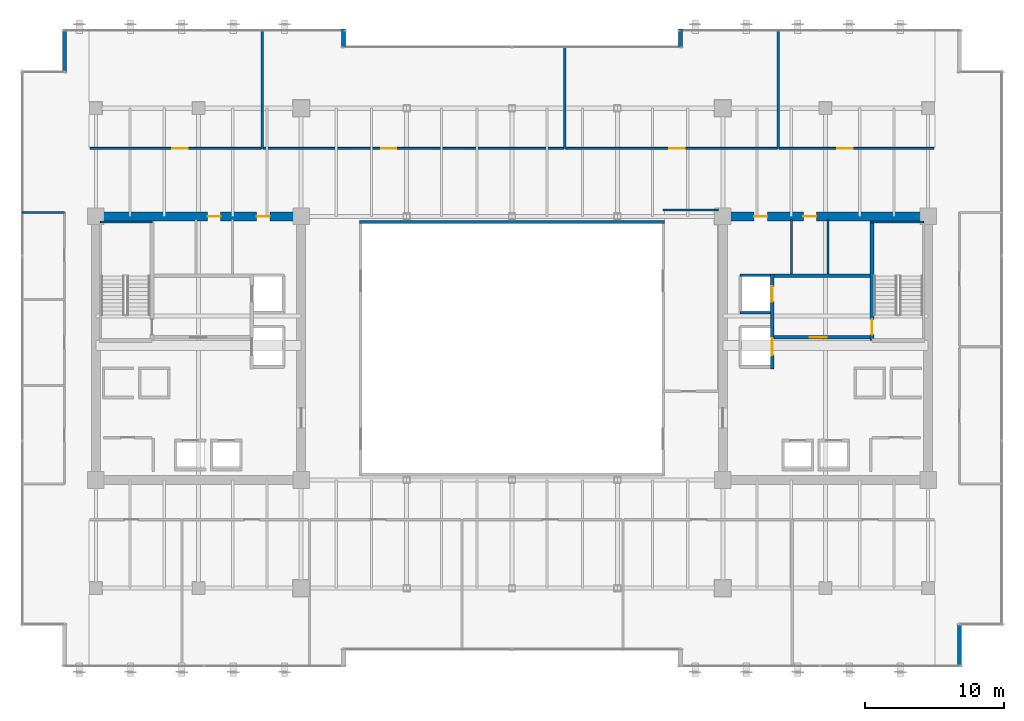
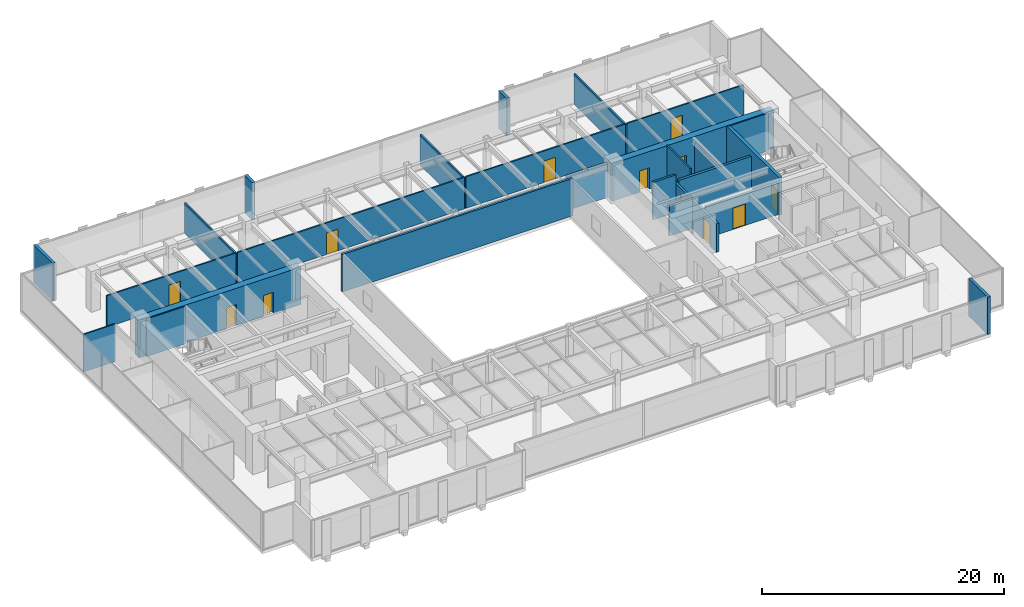
# One storey, part 27 of 34: 26 walls, 12 doors, 12 openings.
"""IFC4 building model written with IfcOpenShell, lengths in metres."""

from ifc_helpers import new_model, si_unit, direction, frame, frame_2d, origin, place, context, subcontext, project, spatial, rectangle, extrude, source, transform, mapped, material, layer, layer_set, type_object, type_shapes, element, fill, save


model = new_model("IFC4")

# Units and contexts
model_context = context("Model", 3, precision=1e-05, world=origin(), true_north=direction((0.0, 1.0)))
body_context = subcontext(model_context, "Body", "Model", "MODEL_VIEW")
ifc_project = project(units=[si_unit("LENGTHUNIT", "METRE"), si_unit("AREAUNIT", "SQUARE_METRE"), si_unit("VOLUMEUNIT", "CUBIC_METRE"), si_unit("PLANEANGLEUNIT", "RADIAN"), si_unit("MASSUNIT", "GRAM", prefix="KILO")], contexts=[model_context])

# Site, building, storey
site_placement = place(None, origin())
site = spatial("IfcSite", under=ifc_project, at=site_placement, CompositionType="ELEMENT")
building_placement = place(site_placement, origin())
building = spatial("IfcBuilding", under=site, at=building_placement, Name="Haelvirn Gate Laboratories", CompositionType="ELEMENT")
storey_placement = place(building_placement, frame((0.0, 0.0, 158.39990234375)))
storey = spatial("IfcBuildingStorey", under=building, at=storey_placement, Name="L38", CompositionType="ELEMENT", Elevation=158.39990234375)

# Walls
ifc_material_1 = material(Name="Thermally-broken bronze aluminium rainscreen & mineral wool", Category="aluminium")
ifc_layer_1 = layer(ifc_material_1, 0.280029296875, Name="EW-TERR-280")
ifc_layer_set_1 = layer_set([ifc_layer_1], Name="Thermally-broken bronze aluminium rainscreen & mineral wool")
wall_type_1 = type_object("IfcWallType", Name="EW-TERR-280", PredefinedType="STANDARD", material=ifc_layer_set_1)
wall_1_placement = place(storey_placement, frame((69.659912109375, 1.300048828125, 0.0), z_axis=(0.0, 0.0, 1.0), x_axis=(0.0, 1.0, 0.0)))
element("IfcWall", 1, at=wall_1_placement, inside=storey, type_object=wall_type_1, Name="L38 Atrium Recess Bronze Return Wall 05", PredefinedType="STANDARD", context=body_context, shape_type="SweptSolid", body=[
    extrude(rectangle(XDim=3.087890625, YDim=0.280029296875, at=frame_2d((1.5439453125, 0.0))), origin(), (0.0, 0.0, 1.0), 3.7900390625),
])
for number, where, z_axis, x_axis, name in (
    (2, (49.5400390625, 47.300048828125, 0.0), (0.0, 0.0, 1.0), (0.0, -1.0, 0.0), "L38 Atrium Recess Bronze Return Wall 11"),
    (3, (25.260009765625, 46.011962890625, 0.0), (0.0, 0.0, 1.0), (0.0, 1.0, 0.0), "L38 Atrium Recess Bronze Return Wall 13"),
):
    element("IfcWall", number, at=place(storey_placement, frame(where, z_axis=z_axis, x_axis=x_axis)), inside=storey, type_object=wall_type_1, Name=name, PredefinedType="STANDARD", context=body_context, shape_type="SweptSolid", body=[
        extrude(rectangle(XDim=1.2880859375, YDim=0.280029296875, at=frame_2d((0.64404296875, 0.0))), origin(), (0.0, 0.0, 1.0), 3.7900390625),
    ])
wall_2_placement = place(storey_placement, frame((5.139892578125, 47.300048828125, 0.0), z_axis=(0.0, 0.0, 1.0), x_axis=(0.0, -1.0, 0.0)))
element("IfcWall", 4, at=wall_2_placement, inside=storey, type_object=wall_type_1, Name="L38 Atrium Recess Bronze Return Wall 15", PredefinedType="STANDARD", context=body_context, shape_type="SweptSolid", body=[
    extrude(rectangle(XDim=3.088134765625, YDim=0.280029296875, at=frame_2d((1.5439453125, 0.0))), origin(), (0.0, 0.0, 1.0), 3.7900390625),
])
ifc_material_2 = material(Name="Double-layer acoustic gypsum laboratory partition", Category="gypsum")
ifc_layer_2 = layer(ifc_material_2, 0.159912109375, Name="IW-ACOUST-160")
ifc_layer_set_2 = layer_set([ifc_layer_2], Name="Double-layer acoustic gypsum laboratory partition")
wall_type_2 = type_object("IfcWallType", Name="IW-ACOUST-160", PredefinedType="PARTITIONING", material=ifc_layer_set_2)
wall_3_placement = place(storey_placement, frame((19.39990234375, 38.705078125, 0.0), z_axis=(0.0, 0.0, 1.0), x_axis=(0.0, 1.0, 0.0)))
element("IfcWall", 5, at=wall_3_placement, inside=storey, type_object=wall_type_2, Name="L38 Interior Wall IW-L38-NDIV-01", PredefinedType="PARTITIONING", context=body_context, shape_type="SweptSolid", body=[
    extrude(rectangle(XDim=8.48486328125, YDim=0.159912109375, at=frame_2d((4.242431640625, 0.0))), origin(), (0.0, 0.0, 1.0), 3.0751953125),
])
wall_4_placement = place(storey_placement, frame((41.199951171875, 38.705078125, 0.0), z_axis=(0.0, 0.0, 1.0), x_axis=(0.0, 1.0, 0.0)))
element("IfcWall", 6, at=wall_4_placement, inside=storey, type_object=wall_type_2, Name="L38 Interior Wall IW-L38-NDIV-02", PredefinedType="PARTITIONING", context=body_context, shape_type="SweptSolid", body=[
    extrude(rectangle(XDim=7.284912109375, YDim=0.159912109375, at=frame_2d((3.642578125, 0.0))), origin(), (0.0, 0.0, 1.0), 3.0751953125),
])
wall_5_placement = place(storey_placement, frame((56.60009765625, 38.705078125, 0.0), z_axis=(0.0, 0.0, 1.0), x_axis=(0.0, 1.0, 0.0)))
element("IfcWall", 7, at=wall_5_placement, inside=storey, type_object=wall_type_2, Name="L38 Interior Wall IW-L38-NDIV-03", PredefinedType="PARTITIONING", context=body_context, shape_type="SweptSolid", body=[
    extrude(rectangle(XDim=8.48486328125, YDim=0.159912109375, at=frame_2d((4.242431640625, 0.0))), origin(), (0.0, 0.0, 1.0), 3.0751953125),
])
ifc_material_3 = material(Name="Fire-rated acoustic gypsum board partition", Category="gypsum")
ifc_layer_3 = layer(ifc_material_3, 0.175048828125, Name="IW-ACOUST-180")
ifc_layer_set_3 = layer_set([ifc_layer_3], Name="Fire-rated acoustic gypsum board partition")
wall_type_3 = type_object("IfcWallType", Name="IW-ACOUST-180", PredefinedType="PARTITIONING", material=ifc_layer_set_3)
wall_6_placement = place(storey_placement, frame((48.300048828125, 34.260009765625, 0.0), z_axis=(0.0, 0.0, 1.0), x_axis=(1.0, 0.0, 0.0)))
element("IfcWall", 8, at=wall_6_placement, inside=storey, type_object=wall_type_3, Name="L38 Interior Wall IW-L38-ASEM-N", PredefinedType="PARTITIONING", context=body_context, shape_type="SweptSolid", body=[
    extrude(rectangle(XDim=3.974853515625, YDim=0.175048828125, at=frame_2d((1.9873046875, 0.0))), origin(), (0.0, 0.0, 1.0), 3.47509765625),
])
ifc_material_4 = material(Name="Tempered fire-rated borosilicate glass & anodised aluminium", Category="aluminium")
ifc_layer_4 = layer(ifc_material_4, 0.195068359375, Name="IW-GLAZ-200")
ifc_layer_set_4 = layer_set([ifc_layer_4], Name="Tempered fire-rated borosilicate glass & anodised aluminium")
wall_type_4 = type_object("IfcWallType", Name="IW-GLAZ-200", PredefinedType="SOLIDWALL", material=ifc_layer_set_4)
wall_7_placement = place(storey_placement, frame((26.39990234375, 33.39990234375, 0.0), z_axis=(0.0, 0.0, 1.0), x_axis=(1.0, 0.0, 0.0)))
element("IfcWall", 9, at=wall_7_placement, inside=storey, type_object=wall_type_4, Name="L38 Interior Wall IW-L38-ATRIUM-N", PredefinedType="SOLIDWALL", context=body_context, shape_type="SweptSolid", body=[
    extrude(rectangle(XDim=22.0, YDim=0.195068359375, at=frame_2d((11.0, 0.0))), origin(), (0.0, 0.0, 1.0), 3.7900390625),
])
ifc_material_5 = material(Name="Lightweight acoustic gypsum board partition", Category="gypsum")
ifc_layer_5 = layer(ifc_material_5, 0.1201171875, Name="IW-PART-120")
ifc_layer_set_5 = layer_set([ifc_layer_5], Name="Lightweight acoustic gypsum board partition")
wall_type_5 = type_object("IfcWallType", Name="IW-PART-120", PredefinedType="PARTITIONING", material=ifc_layer_set_5)
wall_8_placement = place(storey_placement, frame((2.110107421875, 34.0849609375, 0.0), z_axis=(0.0, 0.0, 1.0), x_axis=(1.0, 0.0, 0.0)))
element("IfcWall", 10, at=wall_8_placement, inside=storey, type_object=wall_type_5, Name="L38 Interior Wall IW-L38-WCAP-N", PredefinedType="PARTITIONING", context=body_context, shape_type="SweptSolid", body=[
    extrude(rectangle(XDim=3.019775390625, YDim=0.1201171875, at=frame_2d((1.509765625, 0.0))), origin(), (0.0, 0.0, 1.0), 3.7900390625),
])

# Wall, opening, door
ifc_material_6 = material(Name="Acoustic mineral-wool gypsum board partition", Category="gypsum")
ifc_layer_6 = layer(ifc_material_6, 0.139892578125, Name="IW-PART-140")
ifc_layer_set_6 = layer_set([ifc_layer_6], Name="Acoustic mineral-wool gypsum board partition")
wall_type_6 = type_object("IfcWallType", Name="IW-PART-140", PredefinedType="PARTITIONING", material=ifc_layer_set_6)
wall_9_placement = place(storey_placement, frame((6.97998046875, 38.705078125, 0.0), z_axis=(0.0, 0.0, 1.0), x_axis=(1.0, 0.0, 0.0)))
wall_9 = element("IfcWall", 11, at=wall_9_placement, inside=storey, type_object=wall_type_6, Name="L38 Interior Wall IW-L38-NCORR-01", PredefinedType="PARTITIONING", context=body_context, shape_type="SweptSolid", body=[
    extrude(rectangle(XDim=12.340087890625, YDim=0.139892578125, at=frame_2d((6.169921875, 0.0))), origin(), (0.0, 0.0, 1.0), 3.18701171875),
])
opening_1_placement = place(wall_9_placement, frame((5.936279296875, 0.0, 0.0)))
opening_1 = element("IfcOpeningElement", 12, at=opening_1_placement, cuts=wall_9, Name="Opening D1", PredefinedType="OPENING", context=body_context, shape_type="SweptSolid", body=[
    extrude(rectangle(XDim=1.10009765625, YDim=2.179931640625, at=frame_2d((0.550048828125, 1.08984375))), frame((0.0, 0.080078125, 0.0), z_axis=(0.0, -1.0, 0.0), x_axis=(1.0, 0.0, 0.0)), (0.0, 0.0, 1.0), 0.159912109375),
])
ifc_material_7 = material(Name="Vision-panel acoustic solid-core timber lab door", Category="wood")
door_type_1 = type_object("IfcDoorType", Name="DR-LAB-1100", OperationType="NOTDEFINED", PredefinedType="DOOR", material=ifc_material_7)
shared_shape_1 = source(origin(), body_context, "Body", "SweptSolid", [
    extrude(rectangle(XDim=1.10009765625, YDim=2.179931640625, at=frame_2d((0.550048828125, 1.08984375))), frame((0.0, 0.02490234375, 0.0), z_axis=(0.0, -1.0, 0.0), x_axis=(1.0, 0.0, 0.0)), (0.0, 0.0, 1.0), 0.050048828125),
])
type_shapes(door_type_1, [shared_shape_1])
door_1_placement = place(opening_1_placement, origin())
door_1 = element("IfcDoor", 13, at=door_1_placement, inside=storey, type_object=door_type_1, Name="L38 Analytical Instrument Suite Door N1", OperationType="SINGLE_SWING_RIGHT", OverallHeight=2.179931640625, OverallWidth=1.10009765625, PredefinedType="DOOR", context=body_context, shape_type="MappedRepresentation", body=[
    mapped(shared_shape_1, transform((0.0, 0.0, 0.0), scale=1.0)),
])
fill(opening_1, door_1)

wall_10_placement = place(storey_placement, frame((19.47998046875, 38.705078125, 0.0), z_axis=(0.0, 0.0, 1.0), x_axis=(1.0, 0.0, 0.0)))
wall_10 = element("IfcWall", 14, at=wall_10_placement, inside=storey, type_object=wall_type_6, Name="L38 Interior Wall IW-L38-NCORR-02", PredefinedType="PARTITIONING", context=body_context, shape_type="SweptSolid", body=[
    extrude(rectangle(XDim=21.64013671875, YDim=0.139892578125, at=frame_2d((10.820068359375, 0.0))), origin(), (0.0, 0.0, 1.0), 3.18701171875),
])
opening_2_placement = place(wall_10_placement, frame((8.484375, 0.0, 0.0)))
opening_2 = element("IfcOpeningElement", 15, at=opening_2_placement, cuts=wall_10, Name="Opening D1", PredefinedType="OPENING", context=body_context, shape_type="SweptSolid", body=[
    extrude(rectangle(XDim=1.10009765625, YDim=2.179931640625, at=frame_2d((0.550048828125, 1.08984375))), frame((0.0, 0.080078125, 0.0), z_axis=(0.0, -1.0, 0.0), x_axis=(1.0, 0.0, 0.0)), (0.0, 0.0, 1.0), 0.159912109375),
])
door_2_placement = place(opening_2_placement, origin())
door_2 = element("IfcDoor", 16, at=door_2_placement, inside=storey, type_object=door_type_1, Name="L38 Cleanroom Metrology Suite Door N2", OperationType="SINGLE_SWING_LEFT", OverallHeight=2.179931640625, OverallWidth=1.10009765625, PredefinedType="DOOR", context=body_context, shape_type="MappedRepresentation", body=[
    mapped(shared_shape_1, transform((0.0, 0.0, 0.0), scale=1.0)),
])
fill(opening_2, door_2)

wall_11_placement = place(storey_placement, frame((41.280029296875, 38.705078125, 0.0), z_axis=(0.0, 0.0, 1.0), x_axis=(1.0, 0.0, 0.0)))
wall_11 = element("IfcWall", 17, at=wall_11_placement, inside=storey, type_object=wall_type_6, Name="L38 Interior Wall IW-L38-NCORR-03", PredefinedType="PARTITIONING", context=body_context, shape_type="SweptSolid", body=[
    extrude(rectangle(XDim=15.239990234375, YDim=0.139892578125, at=frame_2d((7.6201171875, 0.0))), origin(), (0.0, 0.0, 1.0), 3.18701171875),
])
opening_3_placement = place(wall_11_placement, frame((7.47314453125, 0.0, 0.0)))
opening_3 = element("IfcOpeningElement", 18, at=opening_3_placement, cuts=wall_11, Name="Opening D1", PredefinedType="OPENING", context=body_context, shape_type="SweptSolid", body=[
    extrude(rectangle(XDim=1.10009765625, YDim=2.179931640625, at=frame_2d((0.550048828125, 1.08984375))), frame((0.0, 0.080078125, 0.0), z_axis=(0.0, -1.0, 0.0), x_axis=(1.0, 0.0, 0.0)), (0.0, 0.0, 1.0), 0.159912109375),
])
door_3_placement = place(opening_3_placement, origin())
door_3 = element("IfcDoor", 19, at=door_3_placement, inside=storey, type_object=door_type_1, Name="L38 Researcher Break Pantry Door N3", OperationType="SINGLE_SWING_RIGHT", OverallHeight=2.179931640625, OverallWidth=1.10009765625, PredefinedType="DOOR", context=body_context, shape_type="MappedRepresentation", body=[
    mapped(shared_shape_1, transform((0.0, 0.0, 0.0), scale=1.0)),
])
fill(opening_3, door_3)

wall_12_placement = place(storey_placement, frame((56.679931640625, 38.705078125, 0.0), z_axis=(0.0, 0.0, 1.0), x_axis=(1.0, 0.0, 0.0)))
wall_12 = element("IfcWall", 20, at=wall_12_placement, inside=storey, type_object=wall_type_6, Name="L38 Interior Wall IW-L38-NCORR-04", PredefinedType="PARTITIONING", context=body_context, shape_type="SweptSolid", body=[
    extrude(rectangle(XDim=11.14013671875, YDim=0.139892578125, at=frame_2d((5.570068359375, 0.0))), origin(), (0.0, 0.0, 1.0), 3.18701171875),
])
opening_4_placement = place(wall_12_placement, frame((4.179443359375, 0.0, 0.0)))
opening_4 = element("IfcOpeningElement", 21, at=opening_4_placement, cuts=wall_12, Name="Opening D1", PredefinedType="OPENING", context=body_context, shape_type="SweptSolid", body=[
    extrude(rectangle(XDim=1.10009765625, YDim=2.179931640625, at=frame_2d((0.550048828125, 1.08984375))), frame((0.0, 0.080078125, 0.0), z_axis=(0.0, -1.0, 0.0), x_axis=(1.0, 0.0, 0.0)), (0.0, 0.0, 1.0), 0.159912109375),
])
door_4_placement = place(opening_4_placement, origin())
door_4 = element("IfcDoor", 22, at=door_4_placement, inside=storey, type_object=door_type_1, Name="L38 Floor Hydration & Tea Servery Door N4", OperationType="SINGLE_SWING_LEFT", OverallHeight=2.179931640625, OverallWidth=1.10009765625, PredefinedType="DOOR", context=body_context, shape_type="MappedRepresentation", body=[
    mapped(shared_shape_1, transform((0.0, 0.0, 0.0), scale=1.0)),
])
fill(opening_4, door_4)

# Walls
ifc_material_8 = material(Name="Cement-board restroom plumbing chase wall", Category="gypsum")
ifc_layer_7 = layer(ifc_material_8, 0.155029296875, Name="IW-PLUMB-160")
ifc_layer_set_7 = layer_set([ifc_layer_7], Name="Cement-board restroom plumbing chase wall")
wall_type_7 = type_object("IfcWallType", Name="IW-PLUMB-160", PredefinedType="PLUMBINGWALL", material=ifc_layer_set_7)
wall_13_placement = place(storey_placement, frame((60.18994140625, 29.64990234375, 0.0), z_axis=(0.0, 0.0, 1.0), x_axis=(0.0, 1.0, 0.0)))
element("IfcWall", 23, at=wall_13_placement, inside=storey, type_object=wall_type_7, Name="L38 Interior Wall IW-L38-E-CDIV-0", PredefinedType="PLUMBINGWALL", context=body_context, shape_type="SweptSolid", body=[
    extrude(rectangle(XDim=3.93017578125, YDim=0.155029296875, at=frame_2d((1.965087890625, 0.0))), origin(), (0.0, 0.0, 1.0), 3.18701171875),
])
wall_14_placement = place(storey_placement, frame((57.56005859375, 29.64990234375, 0.0), z_axis=(0.0, 0.0, 1.0), x_axis=(0.0, 1.0, 0.0)))
element("IfcWall", 24, at=wall_14_placement, inside=storey, type_object=wall_type_7, Name="L38 Interior Wall IW-L38-E-CDIV-1", PredefinedType="PLUMBINGWALL", context=body_context, shape_type="SweptSolid", body=[
    extrude(rectangle(XDim=3.93017578125, YDim=0.155029296875, at=frame_2d((1.965087890625, 0.0))), origin(), (0.0, 0.0, 1.0), 3.7900390625),
])
ifc_material_9 = material(Name="Concrete C40/50", Category="concrete")
ifc_layer_8 = layer(ifc_material_9, 0.199951171875, Name="IW-SHAFT-200")
ifc_layer_set_8 = layer_set([ifc_layer_8], Name="Concrete C40/50")
wall_type_8 = type_object("IfcWallType", Name="IW-SHAFT-200", PredefinedType="SOLIDWALL", material=ifc_layer_set_8)
wall_15_placement = place(storey_placement, frame((53.85009765625, 29.550048828125, 0.0), z_axis=(0.0, 0.0, 1.0), x_axis=(1.0, 0.0, 0.0)))
element("IfcWall", 25, at=wall_15_placement, inside=storey, type_object=wall_type_8, Name="L38 Interior Wall IW-L38-FL2-N", PredefinedType="SOLIDWALL", context=body_context, shape_type="SweptSolid", body=[
    extrude(rectangle(XDim=2.18994140625, YDim=0.199951171875, at=frame_2d((1.094970703125, 0.0))), origin(), (0.0, 0.0, 1.0), 3.7900390625),
])
wall_16_placement = place(storey_placement, frame((53.85009765625, 26.85009765625, 0.0), z_axis=(0.0, 0.0, 1.0), x_axis=(1.0, 0.0, 0.0)))
element("IfcWall", 26, at=wall_16_placement, inside=storey, type_object=wall_type_8, Name="L38 Interior Wall IW-L38-FL2-S", PredefinedType="SOLIDWALL", context=body_context, shape_type="SweptSolid", body=[
    extrude(rectangle(XDim=2.18994140625, YDim=0.199951171875, at=frame_2d((1.094970703125, 0.0))), origin(), (0.0, 0.0, 1.0), 3.18701171875),
])

# Wall, opening, door
ifc_layer_9 = layer(ifc_material_9, 0.239990234375, Name="IW-SHAFT-240")
ifc_layer_set_9 = layer_set([ifc_layer_9], Name="Concrete C40/50")
wall_type_9 = type_object("IfcWallType", Name="IW-SHAFT-240", PredefinedType="SOLIDWALL", material=ifc_layer_set_9)
wall_17_placement = place(storey_placement, frame((56.280029296875, 25.080078125, 0.0), z_axis=(0.0, 0.0, 1.0), x_axis=(1.0, 0.0, 0.0)))
wall_17 = element("IfcWall", 27, at=wall_17_placement, inside=storey, type_object=wall_type_9, Name="L38 Interior Wall IW-L38-E-FF-S", PredefinedType="SOLIDWALL", context=body_context, shape_type="SweptSolid", body=[
    extrude(rectangle(XDim=6.919921875, YDim=0.239990234375, at=frame_2d((3.4599609375, 0.0))), origin(), (0.0, 0.0, 1.0), 3.18701171875),
])
opening_5_placement = place(wall_17_placement, frame((2.60009765625, 0.0, 0.0)))
opening_5 = element("IfcOpeningElement", 28, at=opening_5_placement, cuts=wall_17, Name="Opening FD2", PredefinedType="OPENING", context=body_context, shape_type="SweptSolid", body=[
    extrude(rectangle(XDim=1.199951171875, YDim=2.159912109375, at=frame_2d((0.60009765625, 1.080078125))), frame((0.0, 0.1298828125, 0.0), z_axis=(0.0, -1.0, 0.0), x_axis=(1.0, 0.0, 0.0)), (0.0, 0.0, 1.0), 0.260009765625),
])
ifc_material_10 = material(Name="Fire-rated steel SM355 compartment door", Category="steel")
door_type_2 = type_object("IfcDoorType", Name="DR-FD-1200", OperationType="NOTDEFINED", PredefinedType="DOOR", material=ifc_material_10)
shared_shape_2 = source(origin(), body_context, "Body", "SweptSolid", [
    extrude(rectangle(XDim=1.199951171875, YDim=2.159912109375, at=frame_2d((0.60009765625, 1.080078125))), frame((0.0, 0.02490234375, 0.0), z_axis=(0.0, -1.0, 0.0), x_axis=(1.0, 0.0, 0.0)), (0.0, 0.0, 1.0), 0.050048828125),
])
type_shapes(door_type_2, [shared_shape_2])
door_5_placement = place(opening_5_placement, origin())
door_5 = element("IfcDoor", 29, at=door_5_placement, inside=storey, type_object=door_type_2, Name="L38 East Firefighting Lobby Door", OperationType="SINGLE_SWING_LEFT", OverallHeight=2.159912109375, OverallWidth=1.199951171875, PredefinedType="DOOR", context=body_context, shape_type="MappedRepresentation", body=[
    mapped(shared_shape_2, transform((0.0, 0.0, 0.0), scale=1.0)),
])
fill(opening_5, door_5)

# Wall
wall_18_placement = place(storey_placement, frame((56.280029296875, 29.52001953125, 0.0), z_axis=(0.0, 0.0, 1.0), x_axis=(1.0, 0.0, 0.0)))
element("IfcWall", 30, at=wall_18_placement, inside=storey, type_object=wall_type_9, Name="L38 Interior Wall IW-L38-E-FF-N", PredefinedType="SOLIDWALL", context=body_context, shape_type="SweptSolid", body=[
    extrude(rectangle(XDim=6.919921875, YDim=0.239990234375, at=frame_2d((3.4599609375, 0.0))), origin(), (0.0, 0.0, 1.0), 3.18701171875),
])

# Wall, openings, doors
wall_19_placement = place(storey_placement, frame((56.159912109375, 22.800048828125, 0.0), z_axis=(0.0, 0.0, 1.0), x_axis=(0.0, 1.0, 0.0)))
wall_19 = element("IfcWall", 31, at=wall_19_placement, inside=storey, type_object=wall_type_9, Name="L38 Interior Wall IW-L38-E-FF-E", PredefinedType="SOLIDWALL", context=body_context, shape_type="SweptSolid", body=[
    extrude(rectangle(XDim=6.849853515625, YDim=0.239990234375, at=frame_2d((3.4248046875, 0.0))), origin(), (0.0, 0.0, 1.0), 2.875),
])
opening_6_placement = place(wall_19_placement, frame((4.85009765625, 0.0, 0.0)))
opening_6 = element("IfcOpeningElement", 32, at=opening_6_placement, cuts=wall_19, Name="Opening LD2", PredefinedType="OPENING", context=body_context, shape_type="SweptSolid", body=[
    extrude(rectangle(XDim=1.10009765625, YDim=2.219970703125, at=frame_2d((0.550048828125, 1.10986328125))), frame((0.0, 0.1298828125, 0.0), z_axis=(0.0, -1.0, 0.0), x_axis=(1.0, 0.0, 0.0)), (0.0, 0.0, 1.0), 0.260009765625),
])
opening_7_placement = place(wall_19_placement, frame((1.0, 0.0, 0.0)))
opening_7 = element("IfcOpeningElement", 33, at=opening_7_placement, cuts=wall_19, Name="Opening LD1", PredefinedType="OPENING", context=body_context, shape_type="SweptSolid", body=[
    extrude(rectangle(XDim=1.199951171875, YDim=2.219970703125, at=frame_2d((0.60009765625, 1.10986328125))), frame((0.0, 0.1298828125, 0.0), z_axis=(0.0, -1.0, 0.0), x_axis=(1.0, 0.0, 0.0)), (0.0, 0.0, 1.0), 0.260009765625),
])
ifc_material_11 = material(Name="Bronze stainless 316L sliding lift landing door")
door_type_3 = type_object("IfcDoorType", Name="DR-LD-1100", OperationType="NOTDEFINED", PredefinedType="USERDEFINED", material=ifc_material_11)
shared_shape_3 = source(origin(), body_context, "Body", "SweptSolid", [
    extrude(rectangle(XDim=1.10009765625, YDim=2.219970703125, at=frame_2d((0.550048828125, 1.10986328125))), frame((0.0, 0.02490234375, 0.0), z_axis=(0.0, -1.0, 0.0), x_axis=(1.0, 0.0, 0.0)), (0.0, 0.0, 1.0), 0.050048828125),
])
type_shapes(door_type_3, [shared_shape_3])
door_6_placement = place(opening_6_placement, origin())
door_6 = element("IfcDoor", 34, at=door_6_placement, inside=storey, type_object=door_type_3, Name="L38 Firefighting Lift FL2 Landing Door", ObjectType="LANDING_DOOR", OperationType="SLIDING_TO_RIGHT", OverallHeight=2.219970703125, OverallWidth=1.10009765625, PredefinedType="USERDEFINED", context=body_context, shape_type="MappedRepresentation", body=[
    mapped(shared_shape_3, transform((0.0, 0.0, 0.0), scale=1.0)),
])
fill(opening_6, door_6)
ifc_material_12 = material(Name="Stainless steel 316L sliding goods landing door", Category="steel")
door_type_4 = type_object("IfcDoorType", Name="DR-LD-1200", OperationType="NOTDEFINED", PredefinedType="USERDEFINED", material=ifc_material_12)
shared_shape_4 = source(origin(), body_context, "Body", "SweptSolid", [
    extrude(rectangle(XDim=1.199951171875, YDim=2.219970703125, at=frame_2d((0.60009765625, 1.10986328125))), frame((0.0, 0.02490234375, 0.0), z_axis=(0.0, -1.0, 0.0), x_axis=(1.0, 0.0, 0.0)), (0.0, 0.0, 1.0), 0.050048828125),
])
type_shapes(door_type_4, [shared_shape_4])
door_7_placement = place(opening_7_placement, origin())
door_7 = element("IfcDoor", 35, at=door_7_placement, inside=storey, type_object=door_type_4, Name="L38 Service Lift SL2 Landing Door", ObjectType="LANDING_DOOR", OperationType="SLIDING_TO_LEFT", OverallHeight=2.219970703125, OverallWidth=1.199951171875, PredefinedType="USERDEFINED", context=body_context, shape_type="MappedRepresentation", body=[
    mapped(shared_shape_4, transform((0.0, 0.0, 0.0), scale=1.0)),
])
fill(opening_7, door_7)

ifc_material_13 = material(Name="Concrete C60/75", Category="concrete")
ifc_layer_10 = layer(ifc_material_13, 0.64990234375, Name="SW-CORE-650")
ifc_layer_set_10 = layer_set([ifc_layer_10], Name="Concrete C60/75")
wall_type_10 = type_object("IfcWallType", Name="SW-CORE-650", PredefinedType="SHEAR", material=ifc_layer_set_10)
wall_20_placement = place(storey_placement, frame((7.074951171875, 33.800048828125, 0.0), z_axis=(0.0, 0.0, 1.0), x_axis=(1.0, 0.0, 0.0)))
wall_20 = element("IfcWall", 36, at=wall_20_placement, inside=storey, type_object=wall_type_10, Name="L38 W Core Shear Wall N", PredefinedType="SHEAR", context=body_context, shape_type="SweptSolid", body=[
    extrude(rectangle(XDim=15.449951171875, YDim=0.64990234375, at=frame_2d((7.72509765625, 0.0))), origin(), (0.0, 0.0, 1.0), 3.7900390625),
])
opening_8_placement = place(wall_20_placement, frame((8.375, 0.0, 0.0)))
opening_8 = element("IfcOpeningElement", 37, at=opening_8_placement, cuts=wall_20, Name="Opening FD4", PredefinedType="OPENING", context=body_context, shape_type="SweptSolid", body=[
    extrude(rectangle(XDim=0.949951171875, YDim=2.14990234375, at=frame_2d((0.47509765625, 1.074951171875))), frame((0.0, 0.3349609375, 0.0), z_axis=(0.0, -1.0, 0.0), x_axis=(1.0, 0.0, 0.0)), (0.0, 0.0, 1.0), 0.669921875),
])
opening_9_placement = place(wall_20_placement, frame((11.9150390625, 0.0, 0.0)))
opening_9 = element("IfcOpeningElement", 38, at=opening_9_placement, cuts=wall_20, Name="Opening FD4", PredefinedType="OPENING", context=body_context, shape_type="SweptSolid", body=[
    extrude(rectangle(XDim=0.949951171875, YDim=2.14990234375, at=frame_2d((0.47509765625, 1.074951171875))), frame((0.0, 0.3349609375, 0.0), z_axis=(0.0, -1.0, 0.0), x_axis=(1.0, 0.0, 0.0)), (0.0, 0.0, 1.0), 0.669921875),
])
ifc_material_14 = material(Name="Fire-rated steel SM355 core service door", Category="steel")
door_type_5 = type_object("IfcDoorType", Name="DR-FD-950", OperationType="NOTDEFINED", PredefinedType="DOOR", material=ifc_material_14)
shared_shape_5 = source(origin(), body_context, "Body", "SweptSolid", [
    extrude(rectangle(XDim=0.949951171875, YDim=2.14990234375, at=frame_2d((0.47509765625, 1.074951171875))), frame((0.0, 0.02490234375, 0.0), z_axis=(0.0, -1.0, 0.0), x_axis=(1.0, 0.0, 0.0)), (0.0, 0.0, 1.0), 0.050048828125),
])
type_shapes(door_type_5, [shared_shape_5])
door_8_placement = place(opening_8_placement, origin())
door_8 = element("IfcDoor", 39, at=door_8_placement, inside=storey, type_object=door_type_5, Name="L38 Accessible Restroom Fire Door", OperationType="SINGLE_SWING_LEFT", OverallHeight=2.14990234375, OverallWidth=0.949951171875, PredefinedType="DOOR", context=body_context, shape_type="MappedRepresentation", body=[
    mapped(shared_shape_5, transform((0.0, 0.0, 0.0), scale=1.0)),
])
fill(opening_8, door_8)
door_9_placement = place(opening_9_placement, origin())
door_9 = element("IfcDoor", 40, at=door_9_placement, inside=storey, type_object=door_type_5, Name="L38 Staff Restroom Fire Door", OperationType="SINGLE_SWING_RIGHT", OverallHeight=2.14990234375, OverallWidth=0.949951171875, PredefinedType="DOOR", context=body_context, shape_type="MappedRepresentation", body=[
    mapped(shared_shape_5, transform((0.0, 0.0, 0.0), scale=1.0)),
])
fill(opening_9, door_9)

wall_21_placement = place(storey_placement, frame((52.27490234375, 33.800048828125, 0.0), z_axis=(0.0, 0.0, 1.0), x_axis=(1.0, 0.0, 0.0)))
wall_21 = element("IfcWall", 41, at=wall_21_placement, inside=storey, type_object=wall_type_10, Name="L38 E Core Shear Wall N", PredefinedType="SHEAR", context=body_context, shape_type="SweptSolid", body=[
    extrude(rectangle(XDim=15.4501953125, YDim=0.64990234375, at=frame_2d((7.72509765625, 0.0))), origin(), (0.0, 0.0, 1.0), 3.7900390625),
])
opening_10_placement = place(wall_21_placement, frame((6.125, 0.0, 0.0)))
opening_10 = element("IfcOpeningElement", 42, at=opening_10_placement, cuts=wall_21, Name="Opening FD4", PredefinedType="OPENING", context=body_context, shape_type="SweptSolid", body=[
    extrude(rectangle(XDim=0.949951171875, YDim=2.14990234375, at=frame_2d((0.47509765625, 1.074951171875))), frame((0.0, 0.3349609375, 0.0), z_axis=(0.0, -1.0, 0.0), x_axis=(1.0, 0.0, 0.0)), (0.0, 0.0, 1.0), 0.669921875),
])
opening_11_placement = place(wall_21_placement, frame((2.5849609375, 0.0, 0.0)))
opening_11 = element("IfcOpeningElement", 43, at=opening_11_placement, cuts=wall_21, Name="Opening FD4", PredefinedType="OPENING", context=body_context, shape_type="SweptSolid", body=[
    extrude(rectangle(XDim=0.949951171875, YDim=2.14990234375, at=frame_2d((0.47509765625, 1.074951171875))), frame((0.0, 0.3349609375, 0.0), z_axis=(0.0, -1.0, 0.0), x_axis=(1.0, 0.0, 0.0)), (0.0, 0.0, 1.0), 0.669921875),
])
door_10_placement = place(opening_10_placement, origin())
door_10 = element("IfcDoor", 44, at=door_10_placement, inside=storey, type_object=door_type_5, Name="L38 Accessible Restroom Fire Door", OperationType="SINGLE_SWING_LEFT", OverallHeight=2.14990234375, OverallWidth=0.949951171875, PredefinedType="DOOR", context=body_context, shape_type="MappedRepresentation", body=[
    mapped(shared_shape_5, transform((0.0, 0.0, 0.0), scale=1.0)),
])
fill(opening_10, door_10)
door_11_placement = place(opening_11_placement, origin())
door_11 = element("IfcDoor", 45, at=door_11_placement, inside=storey, type_object=door_type_5, Name="L38 Staff Restroom Fire Door", OperationType="SINGLE_SWING_RIGHT", OverallHeight=2.14990234375, OverallWidth=0.949951171875, PredefinedType="DOOR", context=body_context, shape_type="MappedRepresentation", body=[
    mapped(shared_shape_5, transform((0.0, 0.0, 0.0), scale=1.0)),
])
fill(opening_11, door_11)

# Walls
ifc_material_15 = material(Name="Concrete C50/60", Category="concrete")
ifc_layer_11 = layer(ifc_material_15, 0.1201171875, Name="SW-LINER-120")
ifc_layer_set_11 = layer_set([ifc_layer_11], Name="Concrete C50/60")
wall_type_11 = type_object("IfcWallType", Name="SW-LINER-120", PredefinedType="SOLIDWALL", material=ifc_layer_set_11)
for number, where, z_axis, x_axis, name in (
    (46, (7.72998046875, 33.39990234375, 0.0), (0.0, 0.0, 1.0), (1.0, 0.0, 0.0), "L38 W Core Stair Shaft Liner Wall N"),
    (47, (63.35009765625, 33.39990234375, 0.0), (0.0, 0.0, 1.0), (1.0, 0.0, 0.0), "L38 E Core Stair Shaft Liner Wall N"),
):
    element("IfcWall", number, at=place(storey_placement, frame(where, z_axis=z_axis, x_axis=x_axis)), inside=storey, type_object=wall_type_11, Name=name, PredefinedType="SOLIDWALL", context=body_context, shape_type="SweptSolid", body=[
        extrude(rectangle(XDim=3.719970703125, YDim=0.1201171875, at=frame_2d((1.85986328125, 0.0))), origin(), (0.0, 0.0, 1.0), 3.7900390625),
    ])

# Wall, opening, door
ifc_layer_12 = layer(ifc_material_15, 0.300048828125, Name="SW-STAIR-300")
ifc_layer_set_12 = layer_set([ifc_layer_12], Name="Concrete C50/60")
wall_type_12 = type_object("IfcWallType", Name="SW-STAIR-300", PredefinedType="SHEAR", material=ifc_layer_set_12)
wall_22_placement = place(storey_placement, frame((63.35009765625, 24.85009765625, 0.0), z_axis=(0.0, 0.0, 1.0), x_axis=(0.0, 1.0, 0.0)))
wall_22 = element("IfcWall", 48, at=wall_22_placement, inside=storey, type_object=wall_type_12, Name="L38 E Core Stair Shaft Structural Wall IN", PredefinedType="SHEAR", context=body_context, shape_type="SweptSolid", body=[
    extrude(rectangle(XDim=8.6298828125, YDim=0.300048828125, at=frame_2d((4.31494140625, 0.0))), origin(), (0.0, 0.0, 1.0), 3.7900390625),
])
opening_12_placement = place(wall_22_placement, frame((0.419921875, 0.0, 0.0)))
opening_12 = element("IfcOpeningElement", 49, at=opening_12_placement, cuts=wall_22, Name="Opening FD3", PredefinedType="OPENING", context=body_context, shape_type="SweptSolid", body=[
    extrude(rectangle(XDim=1.10009765625, YDim=2.14990234375, at=frame_2d((0.550048828125, 1.074951171875))), frame((0.0, 0.16015625, 0.0), z_axis=(0.0, -1.0, 0.0), x_axis=(1.0, 0.0, 0.0)), (0.0, 0.0, 1.0), 0.320068359375),
])
ifc_material_16 = material(Name="Fire-rated steel SM355 escape stair door", Category="steel")
door_type_6 = type_object("IfcDoorType", Name="DR-FD-1100", OperationType="NOTDEFINED", PredefinedType="DOOR", material=ifc_material_16)
shared_shape_6 = source(origin(), body_context, "Body", "SweptSolid", [
    extrude(rectangle(XDim=1.10009765625, YDim=2.14990234375, at=frame_2d((0.550048828125, 1.074951171875))), frame((0.0, 0.02490234375, 0.0), z_axis=(0.0, -1.0, 0.0), x_axis=(1.0, 0.0, 0.0)), (0.0, 0.0, 1.0), 0.050048828125),
])
type_shapes(door_type_6, [shared_shape_6])
door_12_placement = place(opening_12_placement, origin())
door_12 = element("IfcDoor", 50, at=door_12_placement, inside=storey, type_object=door_type_6, Name="L38 Escape Stair ST2 Fire Door", OperationType="SINGLE_SWING_RIGHT", OverallHeight=2.14990234375, OverallWidth=1.10009765625, PredefinedType="DOOR", context=body_context, shape_type="MappedRepresentation", body=[
    mapped(shared_shape_6, transform((0.0, 0.0, 0.0), scale=1.0)),
])
fill(opening_12, door_12)

save(model, "model.ifc")
